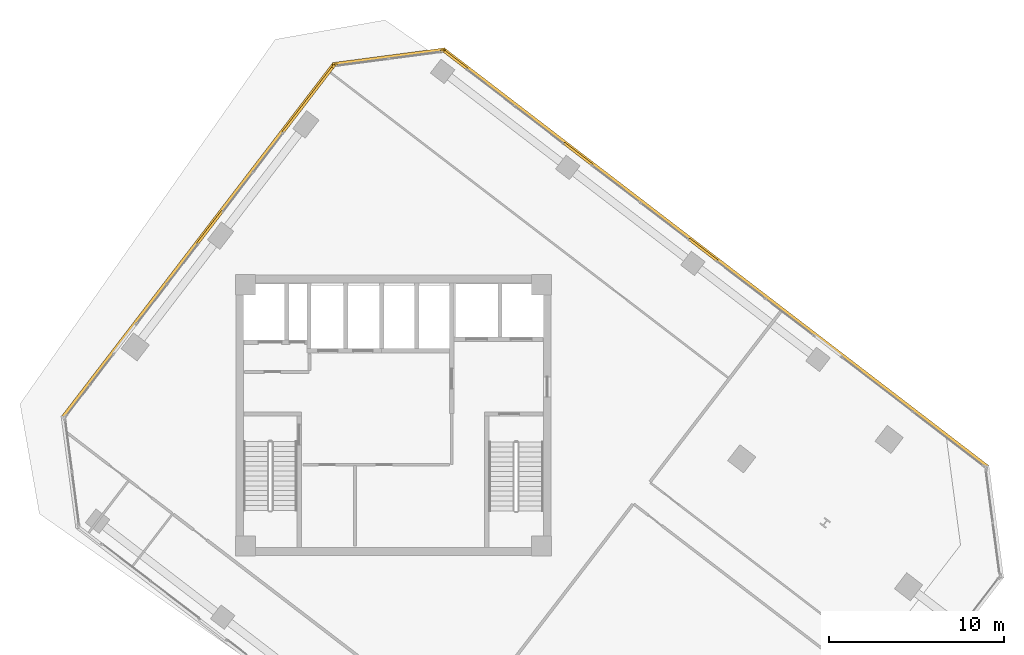
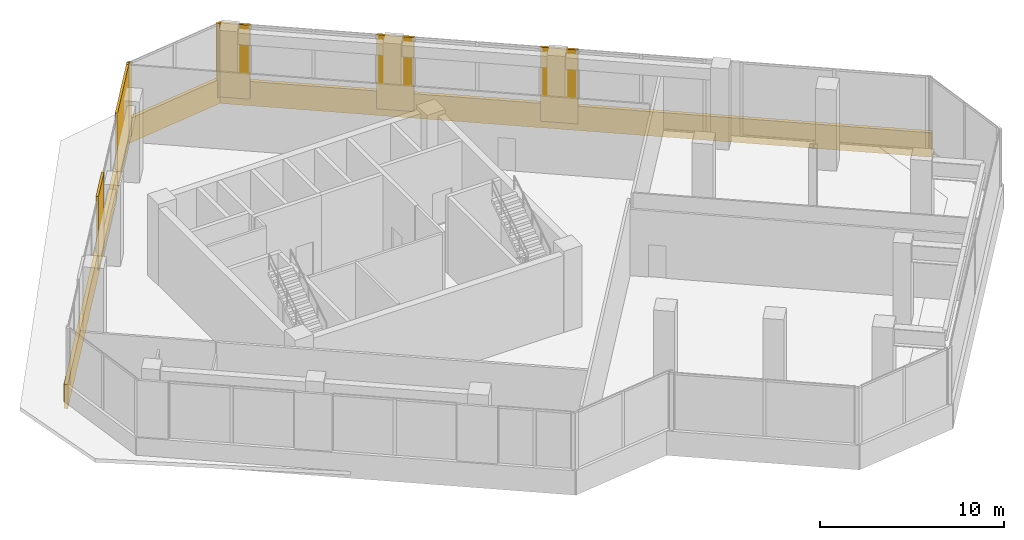
# One storey, part 23 of 23: 11 coverings.
"""IFC4 building model written with IfcOpenShell, lengths in metres."""

from ifc_helpers import new_model, si_unit, direction, frame, origin, origin_2d, place, context, subcontext, project, spatial, rectangle, extrude, source, transform, mapped, material, layer, layer_set, type_object, element, save


model = new_model("IFC4")

# Units and contexts
model_context = context("Model", 3, precision=1e-05, world=origin(), true_north=direction((0.0, 1.0)))
body_context = subcontext(model_context, "Body", "Model", "MODEL_VIEW")
ifc_project = project(units=[si_unit("LENGTHUNIT", "METRE"), si_unit("AREAUNIT", "SQUARE_METRE"), si_unit("VOLUMEUNIT", "CUBIC_METRE"), si_unit("PLANEANGLEUNIT", "RADIAN"), si_unit("MASSUNIT", "GRAM", prefix="KILO")], contexts=[model_context])

# Site, building, storey
site_placement = place(None, origin())
site = spatial("IfcSite", under=ifc_project, at=site_placement, CompositionType="ELEMENT")
building_placement = place(site_placement, origin())
building = spatial("IfcBuilding", under=site, at=building_placement, Name="Torre Montelarca", CompositionType="ELEMENT")
storey_placement = place(building_placement, frame((0.0, 0.0, 204.39990234375)))
storey = spatial("IfcBuildingStorey", under=building, at=storey_placement, Name="L46", CompositionType="ELEMENT", Elevation=204.39990234375)

# Coverings
ifc_material = material(Name="Bush-hammered warm white precast concrete C45/55", Category="concrete")
ifc_layer = layer(ifc_material, 0.139892578125, Name="Bush-hammered warm white precast concrete C45/55", Category="concrete")
ifc_layer_set = layer_set([ifc_layer], Name="Bush-hammered warm white precast concrete C45/55")
covering_type = type_object("IfcCoveringType", Name="COV-TRAY-CLAD", PredefinedType="CLADDING", material=ifc_layer_set)
shared_shape_1 = source(origin(), body_context, "Body", "SweptSolid", [
    extrude(rectangle(XDim=6.48388671875, YDim=0.219970703125, at=origin_2d()), origin(), (0.0, 0.0, 1.0), 1.6201171875),
])
covering_1_placement = place(storey_placement, frame((17.739013671875, 52.44287109375, -0.449951171875), z_axis=(0.0, 0.0, 1.0), x_axis=(-0.991444177927, -0.130531383411, 0.0)))
element("IfcCovering", 1, at=covering_1_placement, inside=storey, type_object=covering_type, Name="L46 Architectural White Spandrel Tray Band TRYBOT-09", PredefinedType="CLADDING", context=body_context, shape_type="MappedRepresentation", body=[
    mapped(shared_shape_1, transform((0.0, 0.0, 0.0), scale=1.0)),
])
shared_shape_2 = source(origin(), body_context, "Body", "SweptSolid", [
    extrude(rectangle(XDim=25.52001953125, YDim=0.219970703125, at=origin_2d()), origin(), (0.0, 0.0, 1.0), 1.6201171875),
])
covering_2_placement = place(storey_placement, frame((6.872802734375, 41.96337890625, -0.449951171875), z_axis=(0.0, 0.0, 1.0), x_axis=(-0.608762813671, -0.793352277801, 0.0)))
element("IfcCovering", 2, at=covering_2_placement, inside=storey, type_object=covering_type, Name="L46 Architectural White Spandrel Tray Band TRYBOT-10", PredefinedType="CLADDING", context=body_context, shape_type="MappedRepresentation", body=[
    mapped(shared_shape_2, transform((0.0, 0.0, 0.0), scale=1.0)),
])
shared_shape_3 = source(origin(), body_context, "Body", "SweptSolid", [
    extrude(rectangle(XDim=2.360107421875, YDim=0.139892578125, at=origin_2d()), origin(), (0.0, 0.0, 1.0), 4.919921875),
])
covering_3_placement = place(storey_placement, frame((7.529052734375, 42.72021484375, 0.000244140625), z_axis=(0.0, 0.0, 1.0), x_axis=(-0.608764198331, -0.793351215308, 0.0)))
element("IfcCovering", 3, at=covering_3_placement, inside=storey, type_object=covering_type, Name="L46 Architectural Column Pier Cladding E10-3", PredefinedType="CLADDING", context=body_context, shape_type="MappedRepresentation", body=[
    mapped(shared_shape_3, transform((0.0, 0.0, 0.0), scale=1.0)),
])
shared_shape_4 = source(origin(), body_context, "Body", "SweptSolid", [
    extrude(rectangle(XDim=0.199951171875, YDim=0.139892578125, at=origin_2d()), origin(), (0.0, 0.0, 1.0), 4.919921875),
])
for number, where, z_axis, x_axis, name in (
    (4, (20.78662109375, 52.78369140625, 0.000244140625), (0.0, 0.0, 1.0), (-0.991444177927, -0.130531383411, 0.0), "L46 Architectural Column Pier Cladding E09-1"),
    (5, (14.706787109375, 51.983154296875, 0.000244140625), (0.0, 0.0, 1.0), (-0.991444177927, -0.130531383411, 0.0), "L46 Architectural Column Pier Cladding E09-2"),
    (6, (14.5810546875, 51.91064453125, 0.000244140625), (0.0, 0.0, 1.0), (-0.608764198331, -0.793351215308, 0.0), "L46 Architectural Column Pier Cladding E10-1"),
):
    element("IfcCovering", number, at=place(storey_placement, frame(where, z_axis=z_axis, x_axis=x_axis)), inside=storey, type_object=covering_type, Name=name, PredefinedType="CLADDING", context=body_context, shape_type="MappedRepresentation", body=[
        mapped(shared_shape_4, transform((0.0, 0.0, 0.0), scale=1.0)),
    ])
shared_shape_5 = source(origin(), body_context, "Body", "SweptSolid", [
    extrude(rectangle(XDim=39.219970703125, YDim=0.219970703125, at=origin_2d()), origin(), (0.0, 0.0, 1.0), 1.6201171875),
])
covering_4_placement = place(storey_placement, frame((36.381591796875, 40.962890625, -0.449951171875), z_axis=(0.0, 0.0, 1.0), x_axis=(-0.793353340291, 0.608761429009, 0.0)))
element("IfcCovering", 7, at=covering_4_placement, inside=storey, type_object=covering_type, Name="L46 Architectural White Spandrel Tray Band TRYBOT-08", PredefinedType="CLADDING", context=body_context, shape_type="MappedRepresentation", body=[
    mapped(shared_shape_5, transform((0.0, 0.0, 0.0), scale=1.0)),
])
shared_shape_6 = source(origin(), body_context, "Body", "SweptSolid", [
    extrude(rectangle(XDim=1.714111328125, YDim=0.139892578125, at=origin_2d()), origin(), (0.0, 0.0, 1.0), 4.919921875),
])
covering_5_placement = place(storey_placement, frame((21.52734375, 52.28515625, 0.000244140625), z_axis=(0.0, 0.0, 1.0), x_axis=(-0.793352277801, 0.608762813671, 0.0)))
element("IfcCovering", 8, at=covering_5_placement, inside=storey, type_object=covering_type, Name="L46 Architectural Column Pier Cladding E08-5", PredefinedType="CLADDING", context=body_context, shape_type="MappedRepresentation", body=[
    mapped(shared_shape_6, transform((0.0, 0.0, 0.0), scale=1.0)),
])
shared_shape_7 = source(origin(), body_context, "Body", "SweptSolid", [
    extrude(rectangle(XDim=2.06005859375, YDim=0.139892578125, at=origin_2d()), origin(), (0.0, 0.0, 1.0), 4.919921875),
])
for number, where, z_axis, x_axis, name in (
    (9, (35.670654296875, 41.4326171875, 0.000244140625), (0.0, 0.0, 1.0), (-0.793352277801, 0.608762813671, 0.0), "L46 Architectural Column Pier Cladding E08-3"),
    (10, (28.530517578125, 46.91162109375, 0.000244140625), (0.0, 0.0, 1.0), (-0.793352277801, 0.608762813671, 0.0), "L46 Architectural Column Pier Cladding E08-4"),
):
    element("IfcCovering", number, at=place(storey_placement, frame(where, z_axis=z_axis, x_axis=x_axis)), inside=storey, type_object=covering_type, Name=name, PredefinedType="CLADDING", context=body_context, shape_type="MappedRepresentation", body=[
        mapped(shared_shape_7, transform((0.0, 0.0, 0.0), scale=1.0)),
    ])
shared_shape_8 = source(origin(), body_context, "Body", "SweptSolid", [
    extrude(rectangle(XDim=4.76416015625, YDim=0.139892578125, at=origin_2d()), origin(), (0.0, 0.0, 1.0), 4.919921875),
])
covering_6_placement = place(storey_placement, frame((13.131103515625, 50.020751953125, 0.000244140625), z_axis=(0.0, 0.0, 1.0), x_axis=(-0.608764198331, -0.793351215308, 0.0)))
element("IfcCovering", 11, at=covering_6_placement, inside=storey, type_object=covering_type, Name="L46 Architectural Column Pier Cladding E10-2", PredefinedType="CLADDING", context=body_context, shape_type="MappedRepresentation", body=[
    mapped(shared_shape_8, transform((0.0, 0.0, 0.0), scale=1.0)),
])

save(model, "model.ifc")
